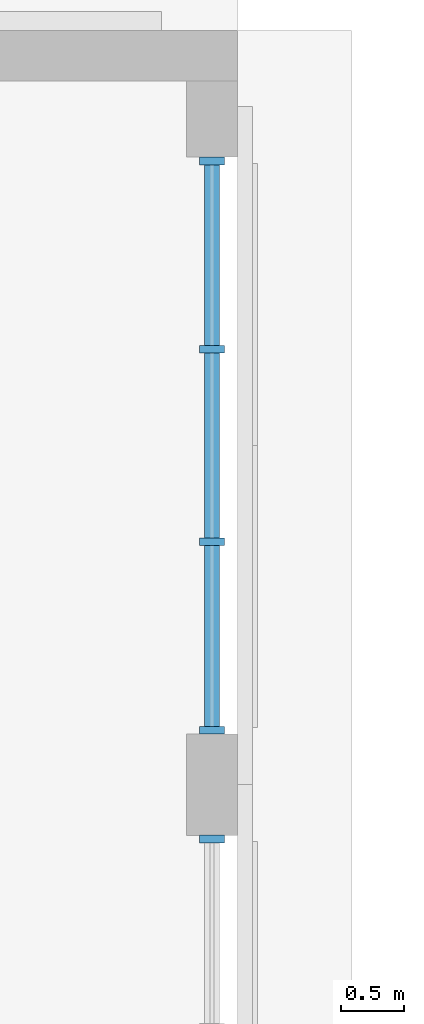
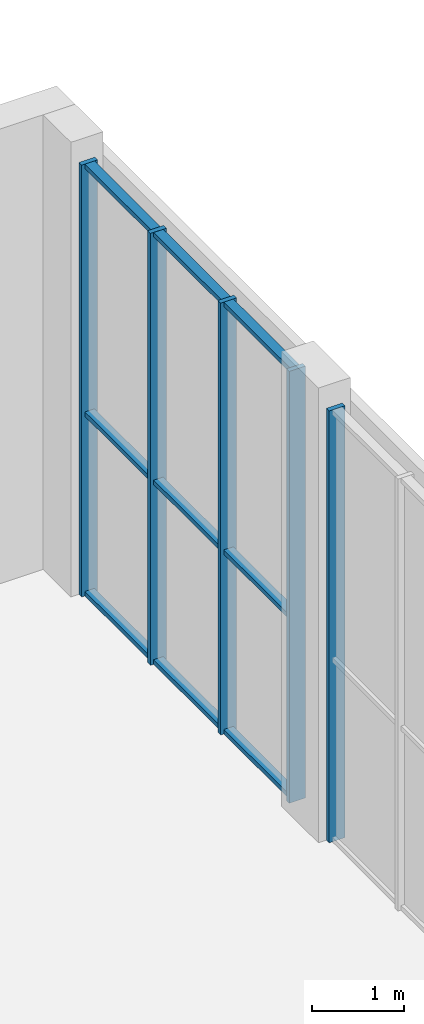
# One storey, part 11 of 74: 14 members, 2 elements without a shape of their own.
"""IFC4 building model written with IfcOpenShell, lengths in metres."""

from ifc_helpers import new_model, si_unit, direction, frame, origin, origin_2d, place, context, subcontext, project, spatial, rectangle, extrude, material, layer, layer_set, material_profile, profile_set, type_object, element, aggregate, save


model = new_model("IFC4")

# Units and contexts
model_context = context("Model", 3, precision=1e-05, world=origin(), true_north=direction((0.0, 1.0)))
body_context = subcontext(model_context, "Body", "Model", "MODEL_VIEW")
ifc_project = project(units=[si_unit("LENGTHUNIT", "METRE"), si_unit("AREAUNIT", "SQUARE_METRE"), si_unit("VOLUMEUNIT", "CUBIC_METRE"), si_unit("PLANEANGLEUNIT", "RADIAN"), si_unit("MASSUNIT", "GRAM", prefix="KILO")], contexts=[model_context])

# Site, building, storey
site_placement = place(None, origin())
site = spatial("IfcSite", under=ifc_project, at=site_placement, CompositionType="ELEMENT")
building_placement = place(site_placement, origin())
building = spatial("IfcBuilding", under=site, at=building_placement, Name="Noorbagh Ring Tower", CompositionType="ELEMENT")
storey_placement = place(building_placement, frame((0.0, 0.0, 7.5)))
storey = spatial("IfcBuildingStorey", under=building, at=storey_placement, Name="L01", CompositionType="ELEMENT", Elevation=7.5)

# Curtain wall, member
ifc_material_1 = material(Name="Aluminium and glass", Category="aluminium")
ifc_layer = layer(ifc_material_1, 0.199951171875)
ifc_layer_set = layer_set([ifc_layer], Name="Aluminium and glass")
curtain_wall_type = type_object("IfcCurtainWallType", Name="TH-CW", PredefinedType="NOTDEFINED", material=ifc_layer_set)
curtain_wall_1_placement = place(storey_placement, origin())
curtain_wall_1 = element("IfcCurtainWall", 1, at=curtain_wall_1_placement, inside=storey, type_object=curtain_wall_type, Name="Foyer glazing", PredefinedType="NOTDEFINED")
ifc_material_2 = material(Name="Aluminium", Category="aluminium")
ifc_material_profile_1 = material_profile(ifc_material_2, rectangle(XDim=0.199951171875, YDim=0.06005859375, at=origin_2d()), Name="AL 200x60")
ifc_profile_set_1 = profile_set([ifc_material_profile_1], Name="Aluminium")
member_type_1 = type_object("IfcMemberType", Name="TH-CW-MULLION", PredefinedType="MULLION", material=ifc_profile_set_1)
member_1_placement = place(storey_placement, frame((-95.199951171875, 24.6201171875, 0.0), z_axis=(0.0, 0.0, 1.0), x_axis=(-1.0, 0.0, 0.0)))
member_1 = element("IfcMember", 2, at=member_1_placement, type_object=member_type_1, Name="CW-T mullion 4", PredefinedType="MULLION", context=body_context, shape_type="SweptSolid", body=[
    extrude(rectangle(XDim=0.199951171875, YDim=0.06005859375, at=origin_2d()), origin(), (0.0, 0.0, 1.0), 5.699951171875),
])
aggregate(curtain_wall_1, [member_1])

# Curtain wall, members
curtain_wall_2_placement = place(storey_placement, origin())
curtain_wall_2 = element("IfcCurtainWall", 3, at=curtain_wall_2_placement, inside=storey, type_object=curtain_wall_type, Name="Foyer glazing", PredefinedType="NOTDEFINED")
member_2_placement = place(storey_placement, frame((-95.199951171875, 25.47998046875, 0.0), z_axis=(0.0, 0.0, 1.0), x_axis=(-1.0, 0.0, 0.0)))
member_2 = element("IfcMember", 4, at=member_2_placement, type_object=member_type_1, Name="CW-T mullion 1", PredefinedType="MULLION", context=body_context, shape_type="SweptSolid", body=[
    extrude(rectangle(XDim=0.199951171875, YDim=0.06005859375, at=origin_2d()), origin(), (0.0, 0.0, 1.0), 5.699951171875),
])
member_3_placement = place(storey_placement, frame((-95.199951171875, 26.966552734375, 0.0), z_axis=(0.0, 0.0, 1.0), x_axis=(-1.0, 0.0, 0.0)))
member_3 = element("IfcMember", 5, at=member_3_placement, type_object=member_type_1, Name="CW-T mullion 2", PredefinedType="MULLION", context=body_context, shape_type="SweptSolid", body=[
    extrude(rectangle(XDim=0.199951171875, YDim=0.06005859375, at=origin_2d()), origin(), (0.0, 0.0, 1.0), 5.699951171875),
])
member_4_placement = place(storey_placement, frame((-95.199951171875, 28.4833984375, 0.0), z_axis=(0.0, 0.0, 1.0), x_axis=(-1.0, 0.0, 0.0)))
member_4 = element("IfcMember", 6, at=member_4_placement, type_object=member_type_1, Name="CW-T mullion 3", PredefinedType="MULLION", context=body_context, shape_type="SweptSolid", body=[
    extrude(rectangle(XDim=0.199951171875, YDim=0.06005859375, at=origin_2d()), origin(), (0.0, 0.0, 1.0), 5.699951171875),
])
member_5_placement = place(storey_placement, frame((-95.199951171875, 29.969970703125, 0.0), z_axis=(0.0, 0.0, 1.0), x_axis=(-1.0, 0.0, 0.0)))
member_5 = element("IfcMember", 7, at=member_5_placement, type_object=member_type_1, Name="CW-T mullion 4", PredefinedType="MULLION", context=body_context, shape_type="SweptSolid", body=[
    extrude(rectangle(XDim=0.199951171875, YDim=0.06005859375, at=origin_2d()), origin(), (0.0, 0.0, 1.0), 5.699951171875),
])
ifc_material_3 = material(Name="Aluminium", Category="aluminium")
ifc_material_profile_2 = material_profile(ifc_material_3, rectangle(XDim=0.1201171875, YDim=0.06005859375, at=origin_2d()), Name="AL 120x60")
ifc_profile_set_2 = profile_set([ifc_material_profile_2], Name="Aluminium")
member_type_2 = type_object("IfcMemberType", Name="TH-CW-TRANSOM", PredefinedType="USERDEFINED", material=ifc_profile_set_2)
member_6_placement = place(storey_placement, frame((-95.199951171875, 25.510009765625, 0.030029296875), z_axis=(0.0, 1.0, 0.0), x_axis=(-1.0, 0.0, 0.0)))
member_6 = element("IfcMember", 8, at=member_6_placement, type_object=member_type_2, Name="CW-T transom 1.1", ObjectType="TRANSOM", PredefinedType="USERDEFINED", context=body_context, shape_type="SweptSolid", body=[
    extrude(rectangle(XDim=0.1201171875, YDim=0.06005859375, at=origin_2d()), origin(), (0.0, 0.0, 1.0), 1.4267578125),
])
member_7_placement = place(storey_placement, frame((-95.199951171875, 25.510009765625, 2.39990234375), z_axis=(0.0, 1.0, 0.0), x_axis=(-1.0, 0.0, 0.0)))
member_7 = element("IfcMember", 9, at=member_7_placement, type_object=member_type_2, Name="CW-T transom 1.2", ObjectType="TRANSOM", PredefinedType="USERDEFINED", context=body_context, shape_type="SweptSolid", body=[
    extrude(rectangle(XDim=0.1201171875, YDim=0.06005859375, at=origin_2d()), origin(), (0.0, 0.0, 1.0), 1.4267578125),
])
member_8_placement = place(storey_placement, frame((-95.199951171875, 25.510009765625, 5.669921875), z_axis=(0.0, 1.0, 0.0), x_axis=(-1.0, 0.0, 0.0)))
member_8 = element("IfcMember", 10, at=member_8_placement, type_object=member_type_2, Name="CW-T transom 1.3", ObjectType="TRANSOM", PredefinedType="USERDEFINED", context=body_context, shape_type="SweptSolid", body=[
    extrude(rectangle(XDim=0.1201171875, YDim=0.06005859375, at=origin_2d()), origin(), (0.0, 0.0, 1.0), 1.4267578125),
])
member_9_placement = place(storey_placement, frame((-95.199951171875, 26.99658203125, 0.030029296875), z_axis=(0.0, 1.0, 0.0), x_axis=(-1.0, 0.0, 0.0)))
member_9 = element("IfcMember", 11, at=member_9_placement, type_object=member_type_2, Name="CW-T transom 2.1", ObjectType="TRANSOM", PredefinedType="USERDEFINED", context=body_context, shape_type="SweptSolid", body=[
    extrude(rectangle(XDim=0.1201171875, YDim=0.06005859375, at=origin_2d()), origin(), (0.0, 0.0, 1.0), 1.456787109375),
])
member_10_placement = place(storey_placement, frame((-95.199951171875, 26.99658203125, 2.39990234375), z_axis=(0.0, 1.0, 0.0), x_axis=(-1.0, 0.0, 0.0)))
member_10 = element("IfcMember", 12, at=member_10_placement, type_object=member_type_2, Name="CW-T transom 2.2", ObjectType="TRANSOM", PredefinedType="USERDEFINED", context=body_context, shape_type="SweptSolid", body=[
    extrude(rectangle(XDim=0.1201171875, YDim=0.06005859375, at=origin_2d()), origin(), (0.0, 0.0, 1.0), 1.456787109375),
])
member_11_placement = place(storey_placement, frame((-95.199951171875, 26.99658203125, 5.669921875), z_axis=(0.0, 1.0, 0.0), x_axis=(-1.0, 0.0, 0.0)))
member_11 = element("IfcMember", 13, at=member_11_placement, type_object=member_type_2, Name="CW-T transom 2.3", ObjectType="TRANSOM", PredefinedType="USERDEFINED", context=body_context, shape_type="SweptSolid", body=[
    extrude(rectangle(XDim=0.1201171875, YDim=0.06005859375, at=origin_2d()), origin(), (0.0, 0.0, 1.0), 1.456787109375),
])
member_12_placement = place(storey_placement, frame((-95.199951171875, 28.513427734375, 0.030029296875), z_axis=(0.0, 1.0, 0.0), x_axis=(-1.0, 0.0, 0.0)))
member_12 = element("IfcMember", 14, at=member_12_placement, type_object=member_type_2, Name="CW-T transom 3.1", ObjectType="TRANSOM", PredefinedType="USERDEFINED", context=body_context, shape_type="SweptSolid", body=[
    extrude(rectangle(XDim=0.1201171875, YDim=0.06005859375, at=origin_2d()), origin(), (0.0, 0.0, 1.0), 1.426513671875),
])
member_13_placement = place(storey_placement, frame((-95.199951171875, 28.513427734375, 2.39990234375), z_axis=(0.0, 1.0, 0.0), x_axis=(-1.0, 0.0, 0.0)))
member_13 = element("IfcMember", 15, at=member_13_placement, type_object=member_type_2, Name="CW-T transom 3.2", ObjectType="TRANSOM", PredefinedType="USERDEFINED", context=body_context, shape_type="SweptSolid", body=[
    extrude(rectangle(XDim=0.1201171875, YDim=0.06005859375, at=origin_2d()), origin(), (0.0, 0.0, 1.0), 1.426513671875),
])
member_14_placement = place(storey_placement, frame((-95.199951171875, 28.513427734375, 5.669921875), z_axis=(0.0, 1.0, 0.0), x_axis=(-1.0, 0.0, 0.0)))
member_14 = element("IfcMember", 16, at=member_14_placement, type_object=member_type_2, Name="CW-T transom 3.3", ObjectType="TRANSOM", PredefinedType="USERDEFINED", context=body_context, shape_type="SweptSolid", body=[
    extrude(rectangle(XDim=0.1201171875, YDim=0.06005859375, at=origin_2d()), origin(), (0.0, 0.0, 1.0), 1.426513671875),
])
aggregate(curtain_wall_2, [member_2, member_3, member_4, member_5, member_6, member_7, member_8, member_9, member_10, member_11, member_12, member_13, member_14])

save(model, "model.ifc")
